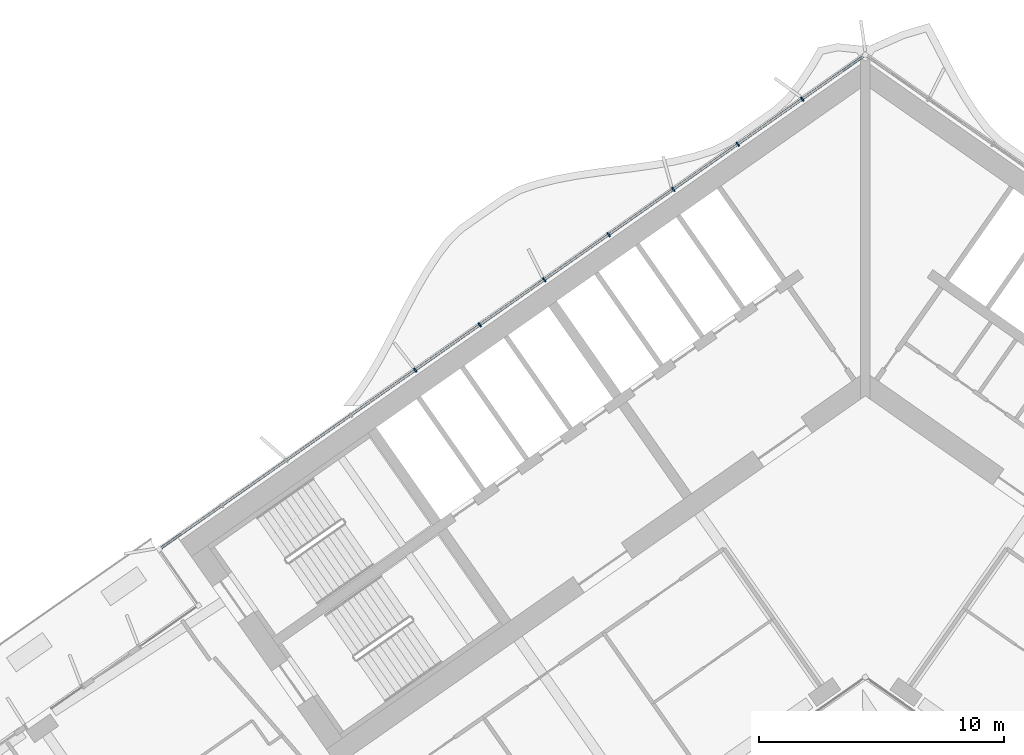
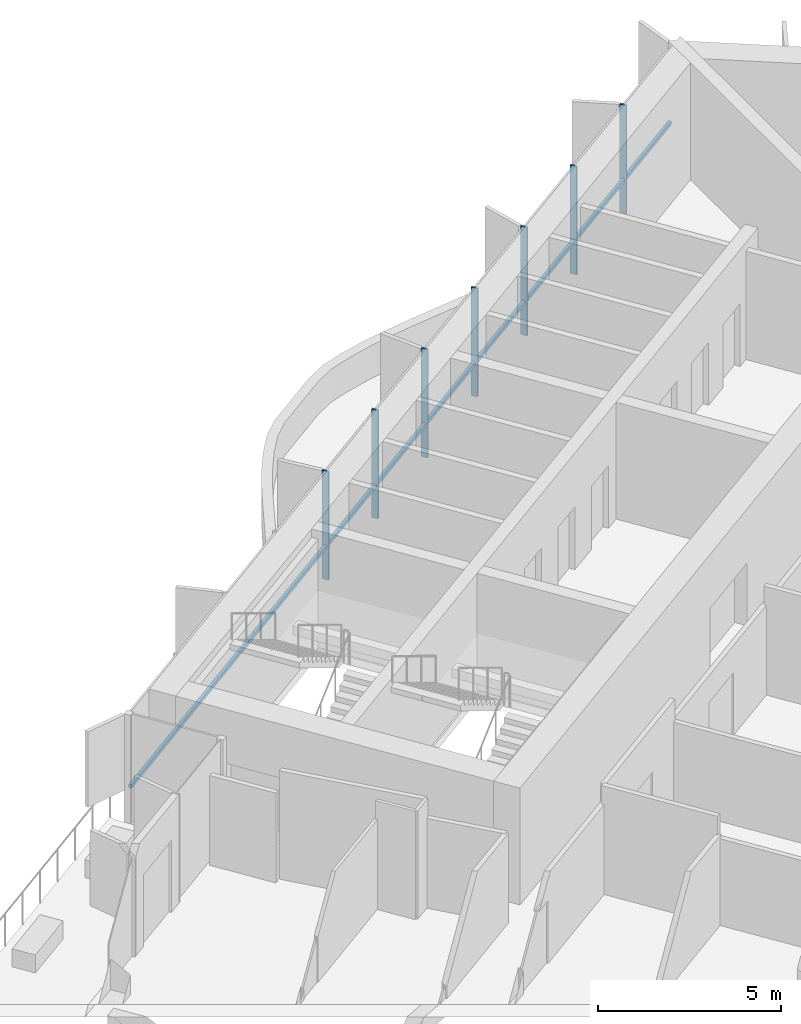
# One storey, part 7 of 24: 8 members, 1 element without a shape of its own.
"""IFC4 building model written with IfcOpenShell, lengths in metres."""

from ifc_helpers import new_model, si_unit, direction, frame, origin, origin_2d, place, context, subcontext, project, spatial, rectangle, extrude, material, material_profile, profile_set, type_object, element, aggregate, save


model = new_model("IFC4")

# Units and contexts
model_context = context("Model", 3, precision=1e-05, world=origin(), true_north=direction((0.0, 1.0)))
body_context = subcontext(model_context, "Body", "Model", "MODEL_VIEW")
ifc_project = project(units=[si_unit("LENGTHUNIT", "METRE"), si_unit("AREAUNIT", "SQUARE_METRE"), si_unit("VOLUMEUNIT", "CUBIC_METRE"), si_unit("PLANEANGLEUNIT", "RADIAN"), si_unit("MASSUNIT", "GRAM", prefix="KILO")], contexts=[model_context])

# Site, building, storey
site_placement = place(None, origin())
site = spatial("IfcSite", under=ifc_project, at=site_placement, CompositionType="ELEMENT")
building_placement = place(site_placement, origin())
building = spatial("IfcBuilding", under=site, at=building_placement, Name="Tel Ilan Convention Tower", CompositionType="ELEMENT")
storey_placement = place(building_placement, frame((0.0, 0.0, 132.0)))
storey = spatial("IfcBuildingStorey", under=building, at=storey_placement, Name="L29", CompositionType="ELEMENT", Elevation=132.0)

# Curtain wall, members
ifc_material_1 = material(Name="Aluminium, bronze anodised", Category="aluminium")
curtain_wall_type = type_object("IfcCurtainWallType", Name="CW2 STICK CURTAIN WALL, SPANDREL PANELS", PredefinedType="NOTDEFINED", material=ifc_material_1)
curtain_wall_placement = place(storey_placement, origin())
curtain_wall = element("IfcCurtainWall", 1, at=curtain_wall_placement, inside=storey, type_object=curtain_wall_type, Name="Curtain wall CW2-23.05", PredefinedType="NOTDEFINED")
ifc_material_2 = material(Name="Aluminium, bronze anodised", Category="aluminium")
ifc_material_profile_1 = material_profile(ifc_material_2, rectangle(XDim=0.06005859375, YDim=0.199951171875, at=origin_2d()), Name="CW MULLION 60x200")
ifc_profile_set_1 = profile_set([ifc_material_profile_1], Name="Aluminium, bronze anodised")
member_type_1 = type_object("IfcMemberType", Name="CW MULLION 60x200", PredefinedType="MULLION", material=ifc_profile_set_1)
member_1_placement = place(storey_placement, frame((-2.5751953125, 10.892822265625, 0.0), z_axis=(0.0, 0.0, 1.0), x_axis=(-0.819152044289, -0.573576436351, 0.0)))
member_1 = element("IfcMember", 2, at=member_1_placement, type_object=member_type_1, Name="Mullion", PredefinedType="MULLION", context=body_context, shape_type="SweptSolid", body=[
    extrude(rectangle(XDim=0.06005859375, YDim=0.199951171875, at=origin_2d()), origin(), (0.0, 0.0, 1.0), 3.6201171875),
])
member_2_placement = place(storey_placement, frame((-5.207763671875, 9.049560546875, 0.0), z_axis=(0.0, 0.0, 1.0), x_axis=(-0.819152044289, -0.573576436351, 0.0)))
member_2 = element("IfcMember", 3, at=member_2_placement, type_object=member_type_1, Name="Mullion", PredefinedType="MULLION", context=body_context, shape_type="SweptSolid", body=[
    extrude(rectangle(XDim=0.06005859375, YDim=0.199951171875, at=origin_2d()), origin(), (0.0, 0.0, 1.0), 3.6201171875),
])
member_3_placement = place(storey_placement, frame((-7.840576171875, 7.2060546875, 0.0), z_axis=(0.0, 0.0, 1.0), x_axis=(-0.819152044289, -0.573576436351, 0.0)))
member_3 = element("IfcMember", 4, at=member_3_placement, type_object=member_type_1, Name="Mullion", PredefinedType="MULLION", context=body_context, shape_type="SweptSolid", body=[
    extrude(rectangle(XDim=0.06005859375, YDim=0.199951171875, at=origin_2d()), origin(), (0.0, 0.0, 1.0), 3.6201171875),
])
member_4_placement = place(storey_placement, frame((-10.47314453125, 5.36279296875, 0.0), z_axis=(0.0, 0.0, 1.0), x_axis=(-0.819152044289, -0.573576436351, 0.0)))
member_4 = element("IfcMember", 5, at=member_4_placement, type_object=member_type_1, Name="Mullion", PredefinedType="MULLION", context=body_context, shape_type="SweptSolid", body=[
    extrude(rectangle(XDim=0.06005859375, YDim=0.199951171875, at=origin_2d()), origin(), (0.0, 0.0, 1.0), 3.6201171875),
])
member_5_placement = place(storey_placement, frame((-13.105712890625, 3.519287109375, 0.0), z_axis=(0.0, 0.0, 1.0), x_axis=(-0.819152044289, -0.573576436351, 0.0)))
member_5 = element("IfcMember", 6, at=member_5_placement, type_object=member_type_1, Name="Mullion", PredefinedType="MULLION", context=body_context, shape_type="SweptSolid", body=[
    extrude(rectangle(XDim=0.06005859375, YDim=0.199951171875, at=origin_2d()), origin(), (0.0, 0.0, 1.0), 3.6201171875),
])
member_6_placement = place(storey_placement, frame((-15.73828125, 1.676025390625, 0.0), z_axis=(0.0, 0.0, 1.0), x_axis=(-0.819152044289, -0.573576436351, 0.0)))
member_6 = element("IfcMember", 7, at=member_6_placement, type_object=member_type_1, Name="Mullion", PredefinedType="MULLION", context=body_context, shape_type="SweptSolid", body=[
    extrude(rectangle(XDim=0.06005859375, YDim=0.199951171875, at=origin_2d()), origin(), (0.0, 0.0, 1.0), 3.6201171875),
])
member_7_placement = place(storey_placement, frame((-18.37109375, -0.16748046875, 0.0), z_axis=(0.0, 0.0, 1.0), x_axis=(-0.819152044289, -0.573576436351, 0.0)))
member_7 = element("IfcMember", 8, at=member_7_placement, type_object=member_type_1, Name="Mullion", PredefinedType="MULLION", context=body_context, shape_type="SweptSolid", body=[
    extrude(rectangle(XDim=0.06005859375, YDim=0.199951171875, at=origin_2d()), origin(), (0.0, 0.0, 1.0), 3.6201171875),
])
ifc_material_3 = material(Name="Aluminium, bronze anodised", Category="aluminium")
ifc_material_profile_2 = material_profile(ifc_material_3, rectangle(XDim=0.10009765625, YDim=0.1201171875, at=origin_2d()), Name="CW TRANSOM 100x120")
ifc_profile_set_2 = profile_set([ifc_material_profile_2], Name="Aluminium, bronze anodised")
member_type_2 = type_object("IfcMemberType", Name="CW TRANSOM 100x120", PredefinedType="USERDEFINED", material=ifc_profile_set_2)
member_8_placement = place(storey_placement, frame((-0.1064453125, 12.62158203125, 1.10009765625), z_axis=(-0.819150201937, -0.573579067494, 0.0), x_axis=(0.573579067494, -0.819150201937, 0.0)))
member_8 = element("IfcMember", 9, at=member_8_placement, type_object=member_type_2, Name="Transom", ObjectType="TRANSOM", PredefinedType="USERDEFINED", context=body_context, shape_type="SweptSolid", body=[
    extrude(rectangle(XDim=0.10009765625, YDim=0.1201171875, at=origin_2d()), origin(), (0.0, 0.0, 1.0), 34.9521484375),
])
aggregate(curtain_wall, [member_1, member_2, member_3, member_4, member_5, member_6, member_7, member_8])

save(model, "model.ifc")
